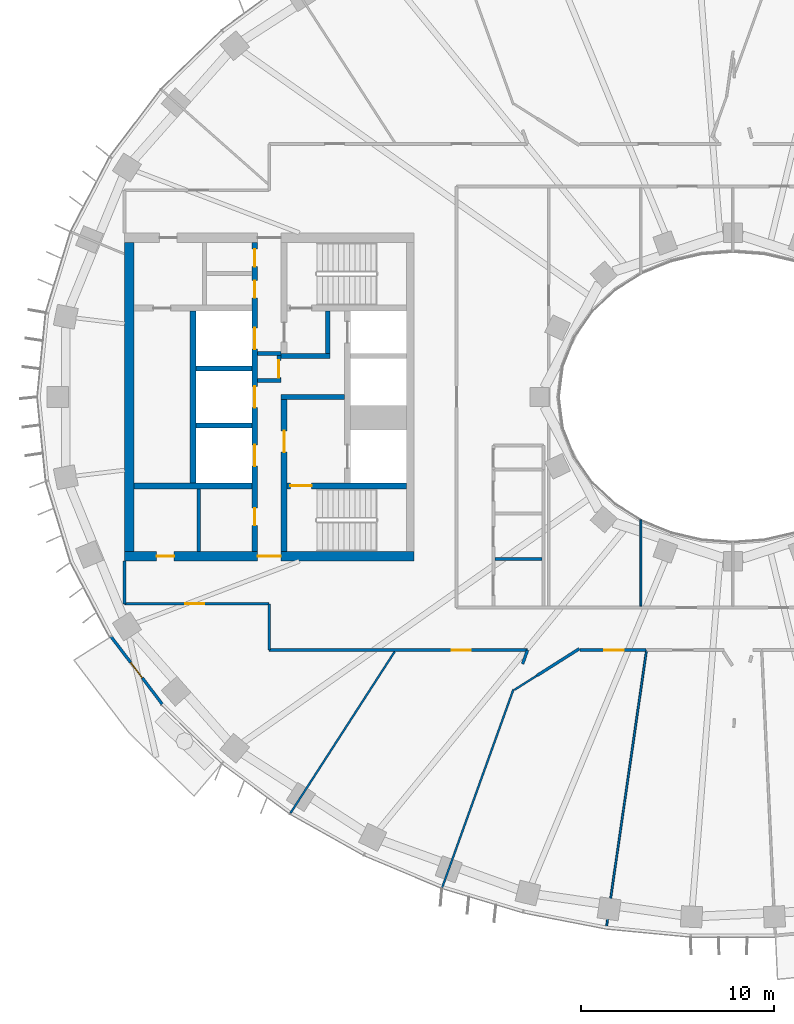
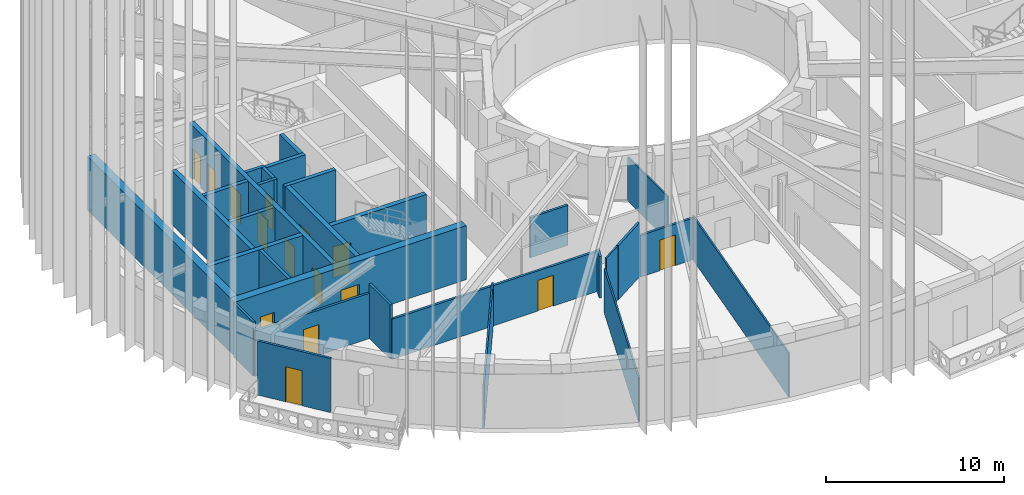
# One storey, part 3 of 19: 30 walls, 15 doors, 15 openings.
"""IFC4 building model written with IfcOpenShell, lengths in metres."""

from ifc_helpers import new_model, si_unit, direction, frame, frame_2d, origin, place, context, subcontext, project, spatial, rectangle, extrude, material, layer, layer_set, type_object, element, fill, save


model = new_model("IFC4")

# Units and contexts
model_context = context("Model", 3, precision=1e-05, world=origin(), true_north=direction((0.0, 1.0)))
body_context = subcontext(model_context, "Body", "Model", "MODEL_VIEW")
ifc_project = project(units=[si_unit("LENGTHUNIT", "METRE"), si_unit("AREAUNIT", "SQUARE_METRE"), si_unit("VOLUMEUNIT", "CUBIC_METRE"), si_unit("PLANEANGLEUNIT", "RADIAN"), si_unit("MASSUNIT", "GRAM", prefix="KILO")], contexts=[model_context])

# Site, building, storey
site_placement = place(None, origin())
site = spatial("IfcSite", under=ifc_project, at=site_placement, CompositionType="ELEMENT")
building_placement = place(site_placement, origin())
building = spatial("IfcBuilding", under=site, at=building_placement, Name="Noorbagh Ring Tower", CompositionType="ELEMENT")
storey_placement = place(building_placement, frame((0.0, 0.0, 233.5)))
storey = spatial("IfcBuildingStorey", under=building, at=storey_placement, Name="L48", CompositionType="ELEMENT", Elevation=233.5)

# Walls
ifc_material_1 = material(Name="Gypsum board on steel studs", Category="steel")
ifc_layer_1 = layer(ifc_material_1, 0.199951171875)
ifc_layer_set_1 = layer_set([ifc_layer_1], Name="Gypsum board on steel studs")
wall_type_1 = type_object("IfcWallType", Name="CORE-PARTITION-200", PredefinedType="PARTITIONING", material=ifc_layer_set_1)
for number, where, z_axis, x_axis, name in (
    (1, (-23.39990234375, 0.85009765625, 0.0), (0.0, 0.0, 1.0), (-1.0, 0.0, 0.0), "Core partition W"),
    (2, (-23.39990234375, 2.25, 0.0), (0.0, 0.0, 1.0), (-1.0, 0.0, 0.0), "Core partition W"),
):
    element("IfcWall", number, at=place(storey_placement, frame(where, z_axis=z_axis, x_axis=x_axis)), inside=storey, type_object=wall_type_1, Name=name, PredefinedType="PARTITIONING", context=body_context, shape_type="SweptSolid", body=[
        extrude(rectangle(XDim=1.2001953125, YDim=0.199951171875, at=frame_2d((0.60009765625, 0.0))), origin(), (0.0, 0.0, 1.0), 3.699951171875),
    ])

# Wall, opening, door
wall_1_placement = place(storey_placement, frame((-23.5, 0.75, 0.0), z_axis=(0.0, 0.0, 1.0), x_axis=(0.0, 1.0, 0.0)))
wall_1 = element("IfcWall", 3, at=wall_1_placement, inside=storey, type_object=wall_type_1, Name="Core partition W", PredefinedType="PARTITIONING", context=body_context, shape_type="SweptSolid", body=[
    extrude(rectangle(XDim=1.60009765625, YDim=0.199951171875, at=frame_2d((0.800048828125, 0.0))), origin(), (0.0, 0.0, 1.0), 3.699951171875),
])
opening_1_placement = place(wall_1_placement, frame((0.25, 0.0, 0.0)))
opening_1 = element("IfcOpeningElement", 4, at=opening_1_placement, cuts=wall_1, Name="Opening L48-CW17", PredefinedType="OPENING", context=body_context, shape_type="SweptSolid", body=[
    extrude(rectangle(XDim=0.89990234375, YDim=2.10009765625, at=frame_2d((0.449951171875, 1.050048828125))), frame((0.0, 0.10986328125, 0.0), z_axis=(0.0, -1.0, 0.0), x_axis=(1.0, 0.0, 0.0)), (0.0, 0.0, 1.0), 0.219970703125),
])
ifc_material_2 = material(Name="Steel door leaf", Category="steel")
door_type_1 = type_object("IfcDoorType", Name="CORE-DOOR-DROOM", OperationType="SINGLE_SWING_LEFT", PredefinedType="DOOR", material=ifc_material_2)
door_1_placement = place(opening_1_placement, origin())
door_1 = element("IfcDoor", 5, at=door_1_placement, inside=storey, type_object=door_type_1, Name="Core room door L48-CW17", OperationType="SINGLE_SWING_RIGHT", OverallHeight=2.10009765625, OverallWidth=0.89990234375, PredefinedType="DOOR", context=body_context, shape_type="SweptSolid", body=[
    extrude(rectangle(XDim=0.89990234375, YDim=2.10009765625, at=frame_2d((0.449951171875, 1.050048828125))), frame((0.0, 0.02490234375, 0.0), z_axis=(0.0, -1.0, 0.0), x_axis=(1.0, 0.0, 0.0)), (0.0, 0.0, 1.0), 0.050048828125),
])
fill(opening_1, door_1)

# Walls
wall_2_placement = place(storey_placement, frame((-27.64990234375, -8.0, 0.0), z_axis=(0.0, 0.0, 1.0), x_axis=(0.0, 1.0, 0.0)))
element("IfcWall", 6, at=wall_2_placement, inside=storey, type_object=wall_type_1, Name="Core partition W", PredefinedType="PARTITIONING", context=body_context, shape_type="SweptSolid", body=[
    extrude(rectangle(XDim=3.25, YDim=0.199951171875, at=frame_2d((1.625, 0.0))), origin(), (0.0, 0.0, 1.0), 3.699951171875),
])
ifc_material_3 = material(Name="Concrete C60/75", Category="concrete")
ifc_layer_2 = layer(ifc_material_3, 0.25)
ifc_layer_set_2 = layer_set([ifc_layer_2], Name="Concrete C60/75")
wall_type_2 = type_object("IfcWallType", Name="CORE-WALL-250-C60-75-EI120", PredefinedType="SHEAR", material=ifc_layer_set_2)
for number, where, z_axis, x_axis, name in (
    (7, (-24.89990234375, -1.47509765625, 0.0), (0.0, 0.0, 1.0), (-1.0, 0.0, 0.0), "Core wall W"),
    (8, (-24.89990234375, 1.47509765625, 0.0), (0.0, 0.0, 1.0), (-1.0, 0.0, 0.0), "Core wall W"),
):
    element("IfcWall", number, at=place(storey_placement, frame(where, z_axis=z_axis, x_axis=x_axis)), inside=storey, type_object=wall_type_2, Name=name, PredefinedType="SHEAR", context=body_context, shape_type="SweptSolid", body=[
        extrude(rectangle(XDim=2.900146484375, YDim=0.25, at=frame_2d((1.4501953125, 0.0))), origin(), (0.0, 0.0, 1.0), 3.699951171875),
    ])
ifc_material_4 = material(Name="Concrete C60/75", Category="concrete")
ifc_layer_3 = layer(ifc_material_4, 0.25)
ifc_layer_set_3 = layer_set([ifc_layer_3], Name="Concrete C60/75")
wall_type_3 = type_object("IfcWallType", Name="CORE-WALL-250-C60-75-EI240", PredefinedType="SHEAR", material=ifc_layer_set_3)
wall_3_placement = place(storey_placement, frame((-20.10009765625, 0.0, 0.0), z_axis=(0.0, 0.0, 1.0), x_axis=(-1.0, 0.0, 0.0)))
element("IfcWall", 9, at=wall_3_placement, inside=storey, type_object=wall_type_3, Name="Core wall W", PredefinedType="SHEAR", context=body_context, shape_type="SweptSolid", body=[
    extrude(rectangle(XDim=3.27978515625, YDim=0.25, at=frame_2d((1.639892578125, 0.0))), origin(), (0.0, 0.0, 1.0), 3.699951171875),
])
wall_4_placement = place(storey_placement, frame((-20.85009765625, 2.125, 0.0), z_axis=(0.0, 0.0, 1.0), x_axis=(-1.0, 0.0, 0.0)))
element("IfcWall", 10, at=wall_4_placement, inside=storey, type_object=wall_type_3, Name="Core wall W", PredefinedType="SHEAR", context=body_context, shape_type="SweptSolid", body=[
    extrude(rectangle(XDim=2.52978515625, YDim=0.25, at=frame_2d((1.264892578125, 0.0))), origin(), (0.0, 0.0, 1.0), 3.699951171875),
])
wall_5_placement = place(storey_placement, frame((-20.97509765625, 2.25, 0.0), z_axis=(0.0, 0.0, 1.0), x_axis=(0.0, 1.0, 0.0)))
element("IfcWall", 11, at=wall_5_placement, inside=storey, type_object=wall_type_3, Name="Core wall W", PredefinedType="SHEAR", context=body_context, shape_type="SweptSolid", body=[
    extrude(rectangle(XDim=2.199951171875, YDim=0.25, at=frame_2d((1.10009765625, 0.0))), origin(), (0.0, 0.0, 1.0), 3.699951171875),
])
ifc_material_5 = material(Name="Concrete C60/75", Category="concrete")
ifc_layer_4 = layer(ifc_material_5, 0.300048828125)
ifc_layer_set_4 = layer_set([ifc_layer_4], Name="Concrete C60/75")
wall_type_4 = type_object("IfcWallType", Name="CORE-WALL-300-C60-75-EI120", PredefinedType="SHEAR", material=ifc_layer_set_4)
wall_6_placement = place(storey_placement, frame((-27.949951171875, -4.449951171875, 0.0), z_axis=(0.0, 0.0, 1.0), x_axis=(0.0, 1.0, 0.0)))
element("IfcWall", 12, at=wall_6_placement, inside=storey, type_object=wall_type_4, Name="Core wall W", PredefinedType="SHEAR", context=body_context, shape_type="SweptSolid", body=[
    extrude(rectangle(XDim=8.89990234375, YDim=0.300048828125, at=frame_2d((4.449951171875, 0.0))), origin(), (0.0, 0.0, 1.0), 3.699951171875),
])

# Wall, openings, doors
wall_7_placement = place(storey_placement, frame((-24.75, -8.0, 0.0), z_axis=(0.0, 0.0, 1.0), x_axis=(0.0, 1.0, 0.0)))
wall_7 = element("IfcWall", 13, at=wall_7_placement, inside=storey, type_object=wall_type_4, Name="Core wall W", PredefinedType="SHEAR", context=body_context, shape_type="SweptSolid", body=[
    extrude(rectangle(XDim=16.0, YDim=0.300048828125, at=frame_2d((8.0, 0.0))), origin(), (0.0, 0.0, 1.0), 3.699951171875),
])
opening_2_placement = place(wall_7_placement, frame((4.425048828125, 0.0, 0.0)))
opening_2 = element("IfcOpeningElement", 14, at=opening_2_placement, cuts=wall_7, Name="Opening L48-CW03", PredefinedType="OPENING", context=body_context, shape_type="SweptSolid", body=[
    extrude(rectangle(XDim=1.10009765625, YDim=2.10009765625, at=frame_2d((0.550048828125, 1.050048828125))), frame((0.0, 0.16015625, 0.0), z_axis=(0.0, -1.0, 0.0), x_axis=(1.0, 0.0, 0.0)), (0.0, 0.0, 1.0), 0.320068359375),
])
opening_3_placement = place(wall_7_placement, frame((7.449951171875, 0.0, 0.0)))
opening_3 = element("IfcOpeningElement", 15, at=opening_3_placement, cuts=wall_7, Name="Opening L48-CW04", PredefinedType="OPENING", context=body_context, shape_type="SweptSolid", body=[
    extrude(rectangle(XDim=1.10009765625, YDim=2.10009765625, at=frame_2d((0.550048828125, 1.050048828125))), frame((0.0, 0.16015625, 0.0), z_axis=(0.0, -1.0, 0.0), x_axis=(1.0, 0.0, 0.0)), (0.0, 0.0, 1.0), 0.320068359375),
])
opening_4_placement = place(wall_7_placement, frame((10.47509765625, 0.0, 0.0)))
opening_4 = element("IfcOpeningElement", 16, at=opening_4_placement, cuts=wall_7, Name="Opening L48-CW05", PredefinedType="OPENING", context=body_context, shape_type="SweptSolid", body=[
    extrude(rectangle(XDim=1.10009765625, YDim=2.10009765625, at=frame_2d((0.550048828125, 1.050048828125))), frame((0.0, 0.16015625, 0.0), z_axis=(0.0, -1.0, 0.0), x_axis=(1.0, 0.0, 0.0)), (0.0, 0.0, 1.0), 0.320068359375),
])
opening_5_placement = place(wall_7_placement, frame((13.125, 0.0, 0.0)))
opening_5 = element("IfcOpeningElement", 17, at=opening_5_placement, cuts=wall_7, Name="Opening L48-CW12", PredefinedType="OPENING", context=body_context, shape_type="SweptSolid", body=[
    extrude(rectangle(XDim=0.89990234375, YDim=2.10009765625, at=frame_2d((0.449951171875, 1.050048828125))), frame((0.0, 0.16015625, 0.0), z_axis=(0.0, -1.0, 0.0), x_axis=(1.0, 0.0, 0.0)), (0.0, 0.0, 1.0), 0.320068359375),
])
opening_6_placement = place(wall_7_placement, frame((14.75, 0.0, 0.0)))
opening_6 = element("IfcOpeningElement", 18, at=opening_6_placement, cuts=wall_7, Name="Opening L48-CW13", PredefinedType="OPENING", context=body_context, shape_type="SweptSolid", body=[
    extrude(rectangle(XDim=0.89990234375, YDim=2.10009765625, at=frame_2d((0.449951171875, 1.050048828125))), frame((0.0, 0.16015625, 0.0), z_axis=(0.0, -1.0, 0.0), x_axis=(1.0, 0.0, 0.0)), (0.0, 0.0, 1.0), 0.320068359375),
])
opening_7_placement = place(wall_7_placement, frame((1.35009765625, 0.0, 0.0)))
opening_7 = element("IfcOpeningElement", 19, at=opening_7_placement, cuts=wall_7, Name="Opening L48-CW15", PredefinedType="OPENING", context=body_context, shape_type="SweptSolid", body=[
    extrude(rectangle(XDim=0.89990234375, YDim=2.10009765625, at=frame_2d((0.449951171875, 1.050048828125))), frame((0.0, 0.16015625, 0.0), z_axis=(0.0, -1.0, 0.0), x_axis=(1.0, 0.0, 0.0)), (0.0, 0.0, 1.0), 0.320068359375),
])
door_2_placement = place(opening_5_placement, origin())
door_2 = element("IfcDoor", 20, at=door_2_placement, inside=storey, type_object=door_type_1, Name="Core room door L48-CW12", OperationType="SINGLE_SWING_LEFT", OverallHeight=2.10009765625, OverallWidth=0.89990234375, PredefinedType="DOOR", context=body_context, shape_type="SweptSolid", body=[
    extrude(rectangle(XDim=0.89990234375, YDim=2.10009765625, at=frame_2d((0.449951171875, 1.050048828125))), frame((0.0, 0.02490234375, 0.0), z_axis=(0.0, -1.0, 0.0), x_axis=(1.0, 0.0, 0.0)), (0.0, 0.0, 1.0), 0.050048828125),
])
fill(opening_5, door_2)
door_3_placement = place(opening_6_placement, origin())
door_3 = element("IfcDoor", 21, at=door_3_placement, inside=storey, type_object=door_type_1, Name="Core room door L48-CW13", OperationType="SINGLE_SWING_RIGHT", OverallHeight=2.10009765625, OverallWidth=0.89990234375, PredefinedType="DOOR", context=body_context, shape_type="SweptSolid", body=[
    extrude(rectangle(XDim=0.89990234375, YDim=2.10009765625, at=frame_2d((0.449951171875, 1.050048828125))), frame((0.0, 0.02490234375, 0.0), z_axis=(0.0, -1.0, 0.0), x_axis=(1.0, 0.0, 0.0)), (0.0, 0.0, 1.0), 0.050048828125),
])
fill(opening_6, door_3)
door_4_placement = place(opening_7_placement, origin())
door_4 = element("IfcDoor", 22, at=door_4_placement, inside=storey, type_object=door_type_1, Name="Core room door L48-CW15", OperationType="SINGLE_SWING_LEFT", OverallHeight=2.10009765625, OverallWidth=0.89990234375, PredefinedType="DOOR", context=body_context, shape_type="SweptSolid", body=[
    extrude(rectangle(XDim=0.89990234375, YDim=2.10009765625, at=frame_2d((0.449951171875, 1.050048828125))), frame((0.0, 0.02490234375, 0.0), z_axis=(0.0, -1.0, 0.0), x_axis=(1.0, 0.0, 0.0)), (0.0, 0.0, 1.0), 0.050048828125),
])
fill(opening_7, door_4)
ifc_material_6 = material(Name="Steel door leaf", Category="steel")
door_type_2 = type_object("IfcDoorType", Name="CORE-DOOR-LD", OperationType="DOUBLE_DOOR_SLIDING", PredefinedType="DOOR", material=ifc_material_6)
door_5_placement = place(opening_2_placement, origin())
door_5 = element("IfcDoor", 23, at=door_5_placement, inside=storey, type_object=door_type_2, Name="Landing door HR2 L48-CW03", OperationType="DOUBLE_DOOR_SLIDING", OverallHeight=2.10009765625, OverallWidth=1.10009765625, PredefinedType="DOOR", context=body_context, shape_type="SweptSolid", body=[
    extrude(rectangle(XDim=1.10009765625, YDim=2.10009765625, at=frame_2d((0.550048828125, 1.050048828125))), frame((0.0, 0.02490234375, 0.0), z_axis=(0.0, -1.0, 0.0), x_axis=(1.0, 0.0, 0.0)), (0.0, 0.0, 1.0), 0.050048828125),
])
fill(opening_2, door_5)
door_6_placement = place(opening_3_placement, origin())
door_6 = element("IfcDoor", 24, at=door_6_placement, inside=storey, type_object=door_type_2, Name="Landing door HR3 L48-CW04", OperationType="DOUBLE_DOOR_SLIDING", OverallHeight=2.10009765625, OverallWidth=1.10009765625, PredefinedType="DOOR", context=body_context, shape_type="SweptSolid", body=[
    extrude(rectangle(XDim=1.10009765625, YDim=2.10009765625, at=frame_2d((0.550048828125, 1.050048828125))), frame((0.0, 0.02490234375, 0.0), z_axis=(0.0, -1.0, 0.0), x_axis=(1.0, 0.0, 0.0)), (0.0, 0.0, 1.0), 0.050048828125),
])
fill(opening_3, door_6)
door_7_placement = place(opening_4_placement, origin())
door_7 = element("IfcDoor", 25, at=door_7_placement, inside=storey, type_object=door_type_2, Name="Landing door HR4 L48-CW05", OperationType="DOUBLE_DOOR_SLIDING", OverallHeight=2.10009765625, OverallWidth=1.10009765625, PredefinedType="DOOR", context=body_context, shape_type="SweptSolid", body=[
    extrude(rectangle(XDim=1.10009765625, YDim=2.10009765625, at=frame_2d((0.550048828125, 1.050048828125))), frame((0.0, 0.02490234375, 0.0), z_axis=(0.0, -1.0, 0.0), x_axis=(1.0, 0.0, 0.0)), (0.0, 0.0, 1.0), 0.050048828125),
])
fill(opening_4, door_7)

# Wall
ifc_material_7 = material(Name="Concrete C60/75", Category="concrete")
ifc_layer_5 = layer(ifc_material_7, 0.300048828125)
ifc_layer_set_5 = layer_set([ifc_layer_5], Name="Concrete C60/75")
wall_type_5 = type_object("IfcWallType", Name="CORE-WALL-300-C60-75-EI240", PredefinedType="SHEAR", material=ifc_layer_set_5)
wall_8_placement = place(storey_placement, frame((-24.89990234375, -4.60009765625, 0.0), z_axis=(0.0, 0.0, 1.0), x_axis=(-1.0, 0.0, 0.0)))
element("IfcWall", 26, at=wall_8_placement, inside=storey, type_object=wall_type_5, Name="Core wall W", PredefinedType="SHEAR", context=body_context, shape_type="SweptSolid", body=[
    extrude(rectangle(XDim=6.10009765625, YDim=0.300048828125, at=frame_2d((3.050048828125, 0.0))), origin(), (0.0, 0.0, 1.0), 3.699951171875),
])

# Wall, opening, door
wall_9_placement = place(storey_placement, frame((-23.22998046875, -8.0, 0.0), z_axis=(0.0, 0.0, 1.0), x_axis=(0.0, 1.0, 0.0)))
wall_9 = element("IfcWall", 27, at=wall_9_placement, inside=storey, type_object=wall_type_5, Name="Core wall W", PredefinedType="SHEAR", context=body_context, shape_type="SweptSolid", body=[
    extrude(rectangle(XDim=7.875, YDim=0.300048828125, at=frame_2d((3.9375, 0.0))), origin(), (0.0, 0.0, 1.0), 3.699951171875),
])
opening_8_placement = place(wall_9_placement, frame((5.14990234375, 0.0, 0.0)))
opening_8 = element("IfcOpeningElement", 28, at=opening_8_placement, cuts=wall_9, Name="Opening L48-CW08", PredefinedType="OPENING", context=body_context, shape_type="SweptSolid", body=[
    extrude(rectangle(XDim=1.10009765625, YDim=2.10009765625, at=frame_2d((0.550048828125, 1.050048828125))), frame((0.0, 0.16015625, 0.0), z_axis=(0.0, -1.0, 0.0), x_axis=(1.0, 0.0, 0.0)), (0.0, 0.0, 1.0), 0.320068359375),
])
ifc_material_8 = material(Name="Steel door leaf", Category="steel")
door_type_3 = type_object("IfcDoorType", Name="CORE-DOOR-DFF", OperationType="SINGLE_SWING_LEFT", PredefinedType="DOOR", material=ifc_material_8)
door_8_placement = place(opening_8_placement, origin())
door_8 = element("IfcDoor", 29, at=door_8_placement, inside=storey, type_object=door_type_3, Name="Firefighting lobby door L48-CW08", OperationType="SINGLE_SWING_LEFT", OverallHeight=2.10009765625, OverallWidth=1.10009765625, PredefinedType="DOOR", context=body_context, shape_type="SweptSolid", body=[
    extrude(rectangle(XDim=1.10009765625, YDim=2.10009765625, at=frame_2d((0.550048828125, 1.050048828125))), frame((0.0, 0.02490234375, 0.0), z_axis=(0.0, -1.0, 0.0), x_axis=(1.0, 0.0, 0.0)), (0.0, 0.0, 1.0), 0.050048828125),
])
fill(opening_8, door_8)

wall_10_placement = place(storey_placement, frame((-16.89990234375, -4.60009765625, 0.0), z_axis=(0.0, 0.0, 1.0), x_axis=(-1.0, 0.0, 0.0)))
wall_10 = element("IfcWall", 30, at=wall_10_placement, inside=storey, type_object=wall_type_5, Name="Core wall W", PredefinedType="SHEAR", context=body_context, shape_type="SweptSolid", body=[
    extrude(rectangle(XDim=6.18017578125, YDim=0.300048828125, at=frame_2d((3.090087890625, 0.0))), origin(), (0.0, 0.0, 1.0), 3.699951171875),
])
opening_9_placement = place(wall_10_placement, frame((4.89990234375, 0.0, 0.0)))
opening_9 = element("IfcOpeningElement", 31, at=opening_9_placement, cuts=wall_10, Name="Opening L48-CW07", PredefinedType="OPENING", context=body_context, shape_type="SweptSolid", body=[
    extrude(rectangle(XDim=1.10009765625, YDim=2.10009765625, at=frame_2d((0.550048828125, 1.050048828125))), frame((0.0, 0.16015625, 0.0), z_axis=(0.0, -1.0, 0.0), x_axis=(1.0, 0.0, 0.0)), (0.0, 0.0, 1.0), 0.320068359375),
])
ifc_material_9 = material(Name="Steel door leaf", Category="steel")
door_type_4 = type_object("IfcDoorType", Name="CORE-DOOR-DSTAIR", OperationType="SINGLE_SWING_LEFT", PredefinedType="DOOR", material=ifc_material_9)
door_9_placement = place(opening_9_placement, origin())
door_9 = element("IfcDoor", 32, at=door_9_placement, inside=storey, type_object=door_type_4, Name="Stair door ST2 L48-CW07", OperationType="SINGLE_SWING_LEFT", OverallHeight=2.10009765625, OverallWidth=1.10009765625, PredefinedType="DOOR", context=body_context, shape_type="SweptSolid", body=[
    extrude(rectangle(XDim=1.10009765625, YDim=2.10009765625, at=frame_2d((0.550048828125, 1.050048828125))), frame((0.0, 0.02490234375, 0.0), z_axis=(0.0, -1.0, 0.0), x_axis=(1.0, 0.0, 0.0)), (0.0, 0.0, 1.0), 0.050048828125),
])
fill(opening_9, door_9)

# Wall, openings, doors
ifc_material_10 = material(Name="Concrete C60/75", Category="concrete")
ifc_layer_6 = layer(ifc_material_10, 0.5)
ifc_layer_set_6 = layer_set([ifc_layer_6], Name="Concrete C60/75")
wall_type_6 = type_object("IfcWallType", Name="CORE-WALL-500-C60-75-EI240", PredefinedType="SHEAR", material=ifc_layer_set_6)
wall_11_placement = place(storey_placement, frame((-16.5, -8.25, 0.0), z_axis=(0.0, 0.0, 1.0), x_axis=(-1.0, 0.0, 0.0)))
wall_11 = element("IfcWall", 33, at=wall_11_placement, inside=storey, type_object=wall_type_6, Name="Core wall W", PredefinedType="SHEAR", context=body_context, shape_type="SweptSolid", body=[
    extrude(rectangle(XDim=15.0, YDim=0.5, at=frame_2d((7.5, 0.0))), origin(), (0.0, 0.0, 1.0), 3.699951171875),
])
opening_10_placement = place(wall_11_placement, frame((6.89990234375, 0.0, 0.0)))
opening_10 = element("IfcOpeningElement", 34, at=opening_10_placement, cuts=wall_11, Name="Opening L48-CW11", PredefinedType="OPENING", context=body_context, shape_type="SweptSolid", body=[
    extrude(rectangle(XDim=1.199951171875, YDim=2.10009765625, at=frame_2d((0.60009765625, 1.050048828125))), frame((0.0, 0.260009765625, 0.0), z_axis=(0.0, -1.0, 0.0), x_axis=(1.0, 0.0, 0.0)), (0.0, 0.0, 1.0), 0.52001953125),
])
opening_11_placement = place(wall_11_placement, frame((12.425048828125, 0.0, 0.0)))
opening_11 = element("IfcOpeningElement", 35, at=opening_11_placement, cuts=wall_11, Name="Opening L48-CW16", PredefinedType="OPENING", context=body_context, shape_type="SweptSolid", body=[
    extrude(rectangle(XDim=0.89990234375, YDim=2.10009765625, at=frame_2d((0.449951171875, 1.050048828125))), frame((0.0, 0.260009765625, 0.0), z_axis=(0.0, -1.0, 0.0), x_axis=(1.0, 0.0, 0.0)), (0.0, 0.0, 1.0), 0.52001953125),
])
door_10_placement = place(opening_11_placement, origin())
door_10 = element("IfcDoor", 36, at=door_10_placement, inside=storey, type_object=door_type_1, Name="Core room door L48-CW16", OperationType="SINGLE_SWING_LEFT", OverallHeight=2.10009765625, OverallWidth=0.89990234375, PredefinedType="DOOR", context=body_context, shape_type="SweptSolid", body=[
    extrude(rectangle(XDim=0.89990234375, YDim=2.10009765625, at=frame_2d((0.449951171875, 1.050048828125))), frame((0.0, 0.02490234375, 0.0), z_axis=(0.0, -1.0, 0.0), x_axis=(1.0, 0.0, 0.0)), (0.0, 0.0, 1.0), 0.050048828125),
])
fill(opening_11, door_10)
ifc_material_11 = material(Name="Steel door leaf", Category="steel")
door_type_5 = type_object("IfcDoorType", Name="CORE-DOOR-PORT", OperationType="DOUBLE_DOOR_DOUBLE_SWING", PredefinedType="DOOR", material=ifc_material_11)
door_11_placement = place(opening_10_placement, origin())
door_11 = element("IfcDoor", 37, at=door_11_placement, inside=storey, type_object=door_type_5, Name="Core entrance door L48-CW11", OperationType="DOUBLE_DOOR_DOUBLE_SWING", OverallHeight=2.10009765625, OverallWidth=1.199951171875, PredefinedType="DOOR", context=body_context, shape_type="SweptSolid", body=[
    extrude(rectangle(XDim=1.199951171875, YDim=2.10009765625, at=frame_2d((0.60009765625, 1.050048828125))), frame((0.0, 0.02490234375, 0.0), z_axis=(0.0, -1.0, 0.0), x_axis=(1.0, 0.0, 0.0)), (0.0, 0.0, 1.0), 0.050048828125),
])
fill(opening_10, door_11)

# Walls
wall_12_placement = place(storey_placement, frame((-31.25, -8.0, 0.0), z_axis=(0.0, 0.0, 1.0), x_axis=(0.0, 1.0, 0.0)))
element("IfcWall", 38, at=wall_12_placement, inside=storey, type_object=wall_type_6, Name="Core wall W", PredefinedType="SHEAR", context=body_context, shape_type="SweptSolid", body=[
    extrude(rectangle(XDim=16.0, YDim=0.5, at=frame_2d((8.0, 0.0))), origin(), (0.0, 0.0, 1.0), 3.699951171875),
])
ifc_material_12 = material(Name="Gypsum board on steel studs", Category="steel")
ifc_layer_7 = layer(ifc_material_12, 0.14990234375)
ifc_layer_set_7 = layer_set([ifc_layer_7], Name="Gypsum board on steel studs")
wall_type_7 = type_object("IfcWallType", Name="CORRIDOR PARTITION 150 EI 30", PredefinedType="PARTITIONING", material=ifc_layer_set_7)
wall_13_placement = place(storey_placement, frame((-31.5, -10.699951171875, 0.0), z_axis=(0.0, 0.0, 1.0), x_axis=(0.0, 1.0, 0.0)))
element("IfcWall", 39, at=wall_13_placement, inside=storey, type_object=wall_type_7, Name="L48/wall/P02", PredefinedType="PARTITIONING", context=body_context, shape_type="SweptSolid", body=[
    extrude(rectangle(XDim=2.199951171875, YDim=0.14990234375, at=frame_2d((1.10009765625, 0.0))), origin(), (0.0, 0.0, 1.0), 3.699951171875),
])

# Wall, opening, door
wall_14_placement = place(storey_placement, frame((-31.5, -10.699951171875, 0.0), z_axis=(0.0, 0.0, 1.0), x_axis=(1.0, 0.0, 0.0)))
wall_14 = element("IfcWall", 40, at=wall_14_placement, inside=storey, type_object=wall_type_7, Name="L48/wall/P03", PredefinedType="PARTITIONING", context=body_context, shape_type="SweptSolid", body=[
    extrude(rectangle(XDim=7.5, YDim=0.14990234375, at=frame_2d((3.75, 0.0))), origin(), (0.0, 0.0, 1.0), 3.10009765625),
])
opening_12_placement = place(wall_14_placement, frame((3.14990234375, 0.0, 0.0)))
opening_12 = element("IfcOpeningElement", 41, at=opening_12_placement, cuts=wall_14, Name="Opening D1", PredefinedType="OPENING", context=body_context, shape_type="SweptSolid", body=[
    extrude(rectangle(XDim=1.0, YDim=2.10009765625, at=frame_2d((0.5, 1.050048828125))), frame((0.0, 0.0849609375, 0.0), z_axis=(0.0, -1.0, 0.0), x_axis=(1.0, 0.0, 0.0)), (0.0, 0.0, 1.0), 0.169921875),
])
ifc_material_13 = material(Name="Timber, painted", Category="wood")
door_type_6 = type_object("IfcDoorType", Name="DOOR 1000 X 2100 FD30", OperationType="SINGLE_SWING_LEFT", PredefinedType="DOOR", material=ifc_material_13)
door_12_placement = place(opening_12_placement, origin())
door_12 = element("IfcDoor", 42, at=door_12_placement, inside=storey, type_object=door_type_6, Name="L48-D06", OperationType="SINGLE_SWING_RIGHT", OverallHeight=2.10009765625, OverallWidth=1.0, PredefinedType="DOOR", context=body_context, shape_type="SweptSolid", body=[
    extrude(rectangle(XDim=1.0, YDim=2.10009765625, at=frame_2d((0.5, 1.050048828125))), frame((0.0, 0.02490234375, 0.0), z_axis=(0.0, -1.0, 0.0), x_axis=(1.0, 0.0, 0.0)), (0.0, 0.0, 1.0), 0.050048828125),
])
fill(opening_12, door_12)

# Wall
wall_15_placement = place(storey_placement, frame((-24.0, -13.10009765625, 0.0), z_axis=(0.0, 0.0, 1.0), x_axis=(0.0, 1.0, 0.0)))
element("IfcWall", 43, at=wall_15_placement, inside=storey, type_object=wall_type_7, Name="L48/wall/P07", PredefinedType="PARTITIONING", context=body_context, shape_type="SweptSolid", body=[
    extrude(rectangle(XDim=2.400146484375, YDim=0.14990234375, at=frame_2d((1.2001953125, 0.0))), origin(), (0.0, 0.0, 1.0), 3.699951171875),
])

# Wall, opening, door
wall_16_placement = place(storey_placement, frame((-24.0, -13.10009765625, 0.0), z_axis=(0.0, 0.0, 1.0), x_axis=(1.0, 0.0, 0.0)))
wall_16 = element("IfcWall", 44, at=wall_16_placement, inside=storey, type_object=wall_type_7, Name="L48/wall/P08", PredefinedType="PARTITIONING", context=body_context, shape_type="SweptSolid", body=[
    extrude(rectangle(XDim=13.35693359375, YDim=0.14990234375, at=frame_2d((6.678466796875, 0.0))), origin(), (0.0, 0.0, 1.0), 2.75),
])
opening_13_placement = place(wall_16_placement, frame((9.43603515625, 0.0, 0.0)))
opening_13 = element("IfcOpeningElement", 45, at=opening_13_placement, cuts=wall_16, Name="Opening D1", PredefinedType="OPENING", context=body_context, shape_type="SweptSolid", body=[
    extrude(rectangle(XDim=1.0, YDim=2.10009765625, at=frame_2d((0.5, 1.050048828125))), frame((0.0, 0.0849609375, 0.0), z_axis=(0.0, -1.0, 0.0), x_axis=(1.0, 0.0, 0.0)), (0.0, 0.0, 1.0), 0.169921875),
])
door_13_placement = place(opening_13_placement, origin())
door_13 = element("IfcDoor", 46, at=door_13_placement, inside=storey, type_object=door_type_6, Name="L48-D09", OperationType="SINGLE_SWING_LEFT", OverallHeight=2.10009765625, OverallWidth=1.0, PredefinedType="DOOR", context=body_context, shape_type="SweptSolid", body=[
    extrude(rectangle(XDim=1.0, YDim=2.10009765625, at=frame_2d((0.5, 1.050048828125))), frame((0.0, 0.02490234375, 0.0), z_axis=(0.0, -1.0, 0.0), x_axis=(1.0, 0.0, 0.0)), (0.0, 0.0, 1.0), 0.050048828125),
])
fill(opening_13, door_13)

# Walls
wall_17_placement = place(storey_placement, frame((-12.324951171875, -8.3798828125, 0.0), z_axis=(0.0, 0.0, 1.0), x_axis=(1.0, 0.0, 0.0)))
element("IfcWall", 47, at=wall_17_placement, inside=storey, type_object=wall_type_7, Name="L48/wall/P19", PredefinedType="PARTITIONING", context=body_context, shape_type="SweptSolid", body=[
    extrude(rectangle(XDim=2.449951171875, YDim=0.14990234375, at=frame_2d((1.22509765625, 0.0))), origin(), (0.0, 0.0, 1.0), 2.75),
])
wall_18_placement = place(storey_placement, frame((-10.887939453125, -13.81396484375, 0.0), z_axis=(0.0, 0.0, 1.0), x_axis=(0.337396703232, 0.941362557492, 0.0)))
element("IfcWall", 48, at=wall_18_placement, inside=storey, type_object=wall_type_7, Name="L48/wall/P26", PredefinedType="PARTITIONING", context=body_context, shape_type="SweptSolid", body=[
    extrude(rectangle(XDim=0.75830078125, YDim=0.14990234375, at=frame_2d((0.379150390625, 0.0))), origin(), (0.0, 0.0, 1.0), 2.85009765625),
])
wall_19_placement = place(storey_placement, frame((-10.136962890625, -14.4130859375, 0.0), z_axis=(0.0, 0.0, 1.0), x_axis=(0.844665601723, 0.535294331434, 0.0)))
element("IfcWall", 49, at=wall_19_placement, inside=storey, type_object=wall_type_7, Name="L48/wall/P28", PredefinedType="PARTITIONING", context=body_context, shape_type="SweptSolid", body=[
    extrude(rectangle(XDim=2.589111328125, YDim=0.14990234375, at=frame_2d((1.29443359375, 0.0))), origin(), (0.0, 0.0, 1.0), 3.699951171875),
])

# Wall, opening, door
wall_20_placement = place(storey_placement, frame((-7.925048828125, -13.10009765625, 0.0), z_axis=(0.0, 0.0, 1.0), x_axis=(1.0, 0.0, 0.0)))
wall_20 = element("IfcWall", 50, at=wall_20_placement, inside=storey, type_object=wall_type_7, Name="L48/wall/P33", PredefinedType="PARTITIONING", context=body_context, shape_type="SweptSolid", body=[
    extrude(rectangle(XDim=3.43212890625, YDim=0.14990234375, at=frame_2d((1.716064453125, 0.0))), origin(), (0.0, 0.0, 1.0), 2.85009765625),
])
opening_14_placement = place(wall_20_placement, frame((1.260009765625, 0.0, 0.0)))
opening_14 = element("IfcOpeningElement", 51, at=opening_14_placement, cuts=wall_20, Name="Opening D1", PredefinedType="OPENING", context=body_context, shape_type="SweptSolid", body=[
    extrude(rectangle(XDim=1.0, YDim=2.10009765625, at=frame_2d((0.5, 1.050048828125))), frame((0.0, 0.0849609375, 0.0), z_axis=(0.0, -1.0, 0.0), x_axis=(1.0, 0.0, 0.0)), (0.0, 0.0, 1.0), 0.169921875),
])
door_14_placement = place(opening_14_placement, origin())
door_14 = element("IfcDoor", 52, at=door_14_placement, inside=storey, type_object=door_type_6, Name="L48-D11", OperationType="SINGLE_SWING_LEFT", OverallHeight=2.10009765625, OverallWidth=1.0, PredefinedType="DOOR", context=body_context, shape_type="SweptSolid", body=[
    extrude(rectangle(XDim=1.0, YDim=2.10009765625, at=frame_2d((0.5, 1.050048828125))), frame((0.0, 0.02490234375, 0.0), z_axis=(0.0, -1.0, 0.0), x_axis=(1.0, 0.0, 0.0)), (0.0, 0.0, 1.0), 0.050048828125),
])
fill(opening_14, door_14)

ifc_material_14 = material(Name="Insulated aluminium clad panel", Category="aluminium")
ifc_layer_8 = layer(ifc_material_14, 0.14990234375)
ifc_layer_set_8 = layer_set([ifc_layer_8], Name="Insulated aluminium clad panel")
wall_type_8 = type_object("IfcWallType", Name="ENV-WALL-DOOR", PredefinedType="STANDARD", material=ifc_layer_set_8)
wall_21_placement = place(storey_placement, frame((-32.20751953125, -12.37353515625, 0.0), z_axis=(0.0, 0.0, 1.0), x_axis=(0.604045763106, -0.796949632081, 0.0)))
wall_21 = element("IfcWall", 53, at=wall_21_placement, inside=storey, type_object=wall_type_8, Name="Balcony door wall chord 27", PredefinedType="STANDARD", context=body_context, shape_type="SweptSolid", body=[
    extrude(rectangle(XDim=4.42333984375, YDim=0.14990234375, at=frame_2d((2.211669921875, 0.0))), origin(), (0.0, 0.0, 1.0), 3.699951171875),
])
opening_15_placement = place(wall_21_placement, frame((1.711669921875, 0.0, 0.0)))
opening_15 = element("IfcOpeningElement", 54, at=opening_15_placement, cuts=wall_21, Name="Opening D-BL", PredefinedType="OPENING", context=body_context, shape_type="SweptSolid", body=[
    extrude(rectangle(XDim=1.0, YDim=2.39990234375, at=frame_2d((0.5, 1.199951171875))), frame((0.0, 0.0849609375, 0.0), z_axis=(0.0, -1.0, 0.0), x_axis=(1.0, 0.0, 0.0)), (0.0, 0.0, 1.0), 0.169921875),
])
ifc_material_15 = material(Name="Aluminium and glass", Category="aluminium")
door_type_7 = type_object("IfcDoorType", Name="ENV-DOOR-BALCONY", OperationType="SINGLE_SWING_LEFT", PredefinedType="DOOR", material=ifc_material_15)
door_15_placement = place(opening_15_placement, origin())
door_15 = element("IfcDoor", 55, at=door_15_placement, inside=storey, type_object=door_type_7, Name="Balcony door chord 27", OperationType="SINGLE_SWING_LEFT", OverallHeight=2.39990234375, OverallWidth=1.0, PredefinedType="DOOR", context=body_context, shape_type="SweptSolid", body=[
    extrude(rectangle(XDim=1.0, YDim=2.39990234375, at=frame_2d((0.5, 1.199951171875))), frame((0.0, 0.02490234375, 0.0), z_axis=(0.0, -1.0, 0.0), x_axis=(1.0, 0.0, 0.0)), (0.0, 0.0, 1.0), 0.050048828125),
])
fill(opening_15, door_15)

# Walls
ifc_material_16 = material(Name="Gypsum board on steel studs", Category="steel")
ifc_layer_9 = layer(ifc_material_16, 0.10009765625)
ifc_layer_set_9 = layer_set([ifc_layer_9], Name="Gypsum board on steel studs")
wall_type_9 = type_object("IfcWallType", Name="PARTITION 100 GYPSUM", PredefinedType="PARTITIONING", material=ifc_layer_set_9)
wall_22_placement = place(storey_placement, frame((-22.905029296875, -21.5419921875, 0.0), z_axis=(0.0, 0.0, 1.0), x_axis=(0.542277075573, 0.840199722273, 0.0)))
element("IfcWall", 56, at=wall_22_placement, inside=storey, type_object=wall_type_9, Name="L48/wall/P11", PredefinedType="PARTITIONING", context=body_context, shape_type="SweptSolid", body=[
    extrude(rectangle(XDim=9.958251953125, YDim=0.10009765625, at=frame_2d((4.97900390625, 0.0))), origin(), (0.0, 0.0, 1.0), 3.0),
])
wall_23_placement = place(storey_placement, frame((-15.048095703125, -25.383056640625, 0.0), z_axis=(0.0, 0.0, 1.0), x_axis=(0.338406105684, 0.941000163462, 0.0)))
element("IfcWall", 57, at=wall_23_placement, inside=storey, type_object=wall_type_9, Name="L48/wall/P13", PredefinedType="PARTITIONING", context=body_context, shape_type="SweptSolid", body=[
    extrude(rectangle(XDim=10.898193359375, YDim=0.10009765625, at=frame_2d((5.44921875, 0.0))), origin(), (0.0, 0.0, 1.0), 3.0),
])
wall_24_placement = place(storey_placement, frame((-11.319091796875, -15.160888671875, 0.0), z_axis=(0.0, 0.0, 1.0), x_axis=(0.845102975348, 0.534603555037, 0.0)))
element("IfcWall", 58, at=wall_24_placement, inside=storey, type_object=wall_type_9, Name="L48/wall/P24", PredefinedType="PARTITIONING", context=body_context, shape_type="SweptSolid", body=[
    extrude(rectangle(XDim=1.398681640625, YDim=0.10009765625, at=frame_2d((0.69921875, 0.0))), origin(), (0.0, 0.0, 1.0), 3.699951171875),
])
wall_25_placement = place(storey_placement, frame((-6.552001953125, -27.48095703125, 0.0), z_axis=(0.0, 0.0, 1.0), x_axis=(0.143086579044, 0.989710175202, 0.0)))
element("IfcWall", 59, at=wall_25_placement, inside=storey, type_object=wall_type_9, Name="L48/wall/P35", PredefinedType="PARTITIONING", context=body_context, shape_type="SweptSolid", body=[
    extrude(rectangle(XDim=14.5302734375, YDim=0.10009765625, at=frame_2d((7.26513671875, 0.0))), origin(), (0.0, 0.0, 1.0), 3.0),
])
wall_26_placement = place(storey_placement, frame((-4.76708984375, -10.824951171875, 0.0), z_axis=(0.0, 0.0, 1.0), x_axis=(0.0, 1.0, 0.0)))
element("IfcWall", 60, at=wall_26_placement, inside=storey, type_object=wall_type_9, Name="L48/wall/P36", PredefinedType="PARTITIONING", context=body_context, shape_type="SweptSolid", body=[
    extrude(rectangle(XDim=4.4619140625, YDim=0.10009765625, at=frame_2d((2.23095703125, 0.0))), origin(), (0.0, 0.0, 1.0), 3.0),
])

save(model, "model.ifc")
